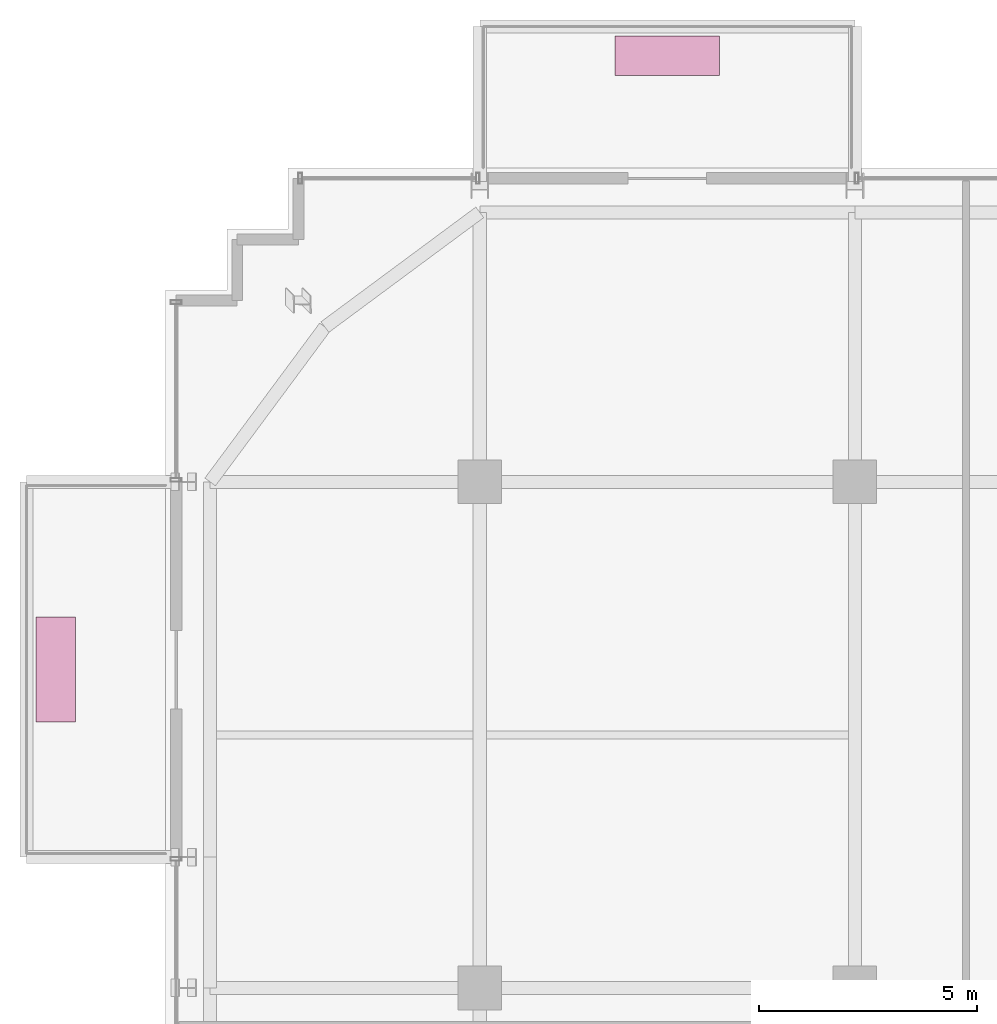
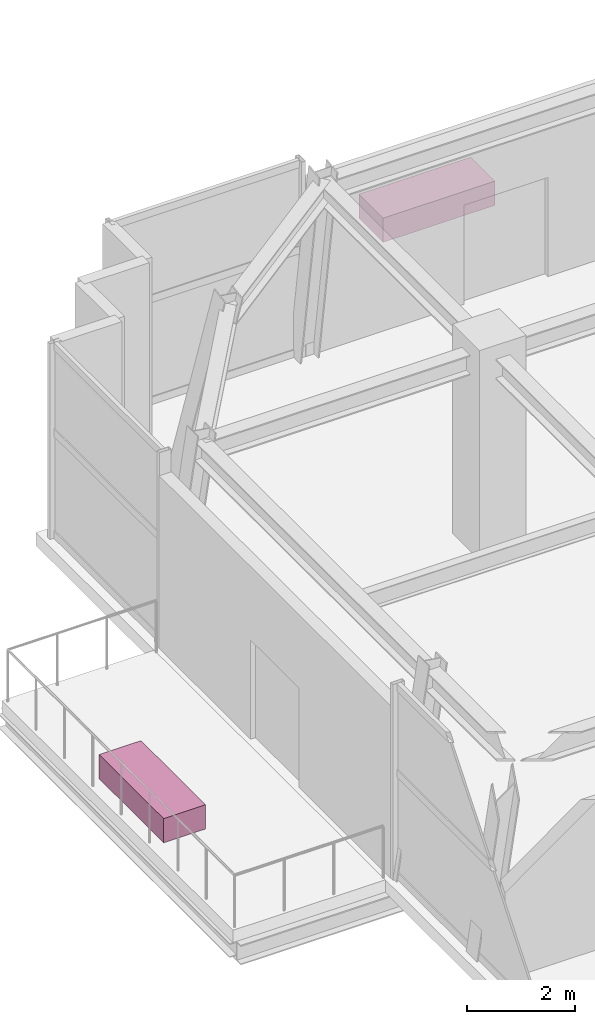
# One storey, part 28 of 28: 2 furnishings.
"""IFC4 building model written with IfcOpenShell, lengths in metres."""

from ifc_helpers import new_model, si_unit, direction, frame, origin, origin_2d, place, context, subcontext, project, spatial, rectangle, extrude, source, transform, mapped, material, type_object, element, save


model = new_model("IFC4")

# Units and contexts
model_context = context("Model", 3, precision=1e-05, world=origin(), true_north=direction((0.0, 1.0)))
body_context = subcontext(model_context, "Body", "Model", "MODEL_VIEW")
ifc_project = project(units=[si_unit("LENGTHUNIT", "METRE"), si_unit("AREAUNIT", "SQUARE_METRE"), si_unit("VOLUMEUNIT", "CUBIC_METRE"), si_unit("PLANEANGLEUNIT", "RADIAN"), si_unit("MASSUNIT", "GRAM", prefix="KILO")], contexts=[model_context])

# Site, building, storey
site_placement = place(None, origin())
site = spatial("IfcSite", under=ifc_project, at=site_placement, CompositionType="ELEMENT")
building_placement = place(site_placement, origin())
building = spatial("IfcBuilding", under=site, at=building_placement, Name="Nahalor Promenade Grand Hotel", CompositionType="ELEMENT")
storey_placement = place(building_placement, frame((0.0, 0.0, 256.699951171875)))
storey = spatial("IfcBuildingStorey", under=building, at=storey_placement, Name="L66", CompositionType="ELEMENT", Elevation=256.699951171875)

# Furnishings
ifc_material = material(Name="Vegetated Volcanic-Lapilli Tree Planter", Category="earth")
furnishing_element_type = type_object("IfcFurnishingElementType", Name="Planter-VerticalForest-Box", material=ifc_material)
shared_shape = source(origin(), body_context, "Body", "SweptSolid", [
    extrude(rectangle(XDim=2.39990234375, YDim=0.89990234375, at=origin_2d()), origin(), (0.0, 0.0, 1.0), 0.550048828125),
])
for number, where, z_axis, x_axis, name in (
    (1, (-12.699951171875, 26.77001953125, 0.0), (0.0, 0.0, 1.0), (1.0, 0.0, 0.0), "L66 Balcony Structural Tree Planter 1"),
    (2, (-26.719970703125, 12.699951171875, 0.0), (0.0, 0.0, 1.0), (0.0, 1.0, 0.0), "L66 Balcony Structural Tree Planter 2"),
):
    element("IfcFurnishingElement", number, at=place(storey_placement, frame(where, z_axis=z_axis, x_axis=x_axis)), inside=storey, type_object=furnishing_element_type, Name=name, ObjectType="PLANTER", context=body_context, shape_type="MappedRepresentation", body=[
        mapped(shared_shape, transform((0.0, 0.0, 0.0), scale=1.0)),
    ])

save(model, "model.ifc")
